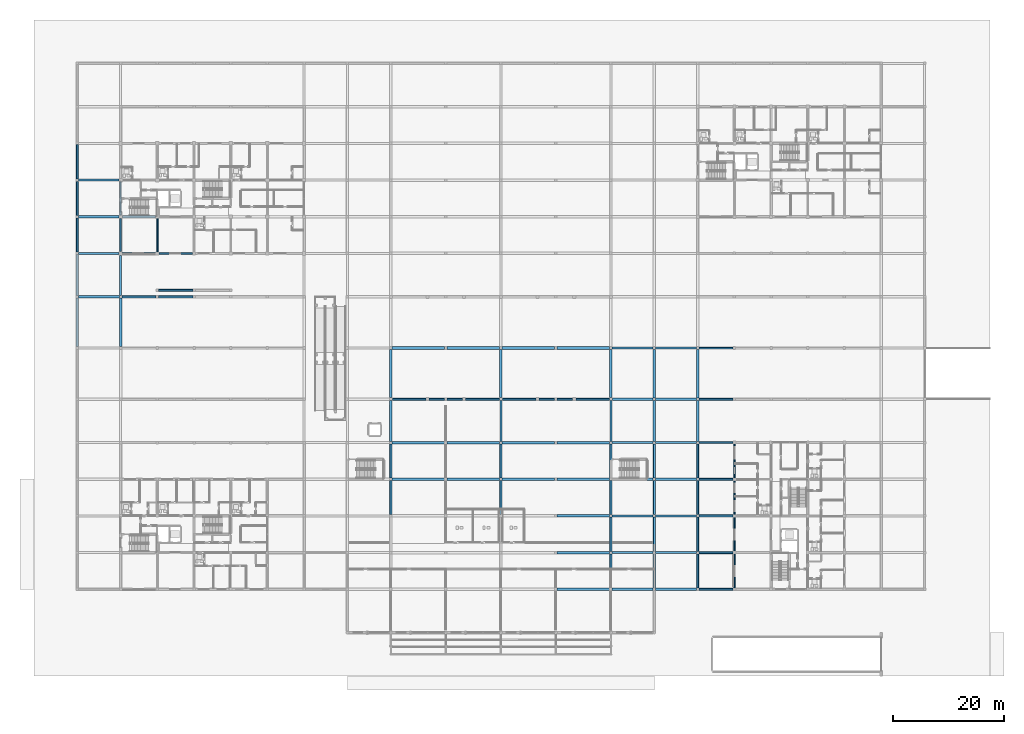
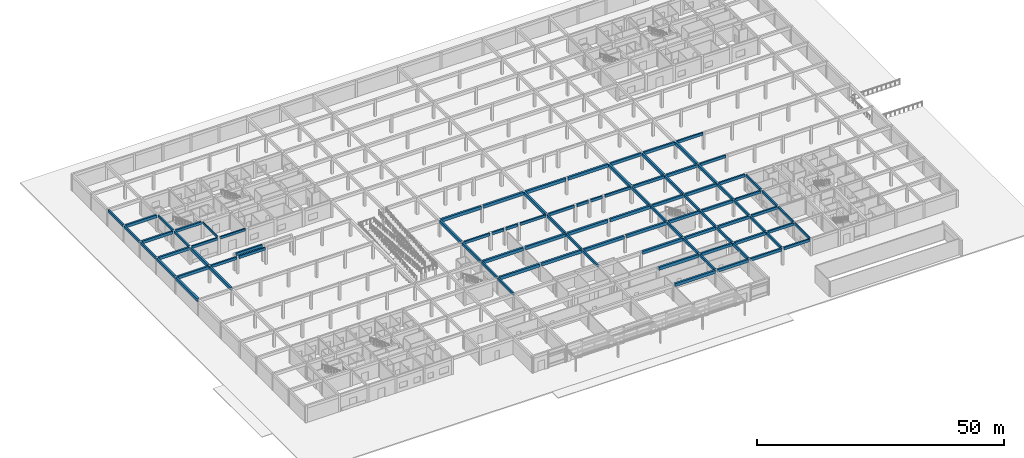
# One storey, part 25 of 75: 94 beams.
"""IFC4 building model written with IfcOpenShell, lengths in metres."""

from ifc_helpers import new_model, si_unit, direction, frame, origin, origin_2d, place, context, subcontext, project, spatial, rectangle, extrude, material, material_profile, profile_set, type_object, element, save


model = new_model("IFC4")

# Units and contexts
model_context = context("Model", 3, precision=1e-05, world=origin(), true_north=direction((0.0, 1.0)))
body_context = subcontext(model_context, "Body", "Model", "MODEL_VIEW")
ifc_project = project(units=[si_unit("LENGTHUNIT", "METRE"), si_unit("AREAUNIT", "SQUARE_METRE"), si_unit("VOLUMEUNIT", "CUBIC_METRE"), si_unit("PLANEANGLEUNIT", "RADIAN"), si_unit("MASSUNIT", "GRAM", prefix="KILO")], contexts=[model_context])

# Site, building, storey
site_placement = place(None, origin())
site = spatial("IfcSite", under=ifc_project, at=site_placement, CompositionType="ELEMENT")
building_placement = place(site_placement, origin())
building = spatial("IfcBuilding", under=site, at=building_placement, Name="Kernevlak Ridge Housing Community", CompositionType="ELEMENT")
storey_placement = place(building_placement, origin())
storey = spatial("IfcBuildingStorey", under=building, at=storey_placement, Name="L00", CompositionType="ELEMENT", Elevation=0.0)

# Beams
ifc_material = material(Name="Concrete C35/45", Category="concrete")
ifc_material_profile_1 = material_profile(ifc_material, rectangle(XDim=0.39990234375, YDim=0.699951171875, at=origin_2d()), Name="RC 400x700")
ifc_profile_set_1 = profile_set([ifc_material_profile_1], Name="Concrete C35/45")
beam_type_1 = type_object("IfcBeamType", Name="B-01", PredefinedType="BEAM", material=ifc_profile_set_1)
for number, where, z_axis, x_axis, name in (
    (1, (104.02490234375, 15.60009765625, 3.85009765625), (1.0, 0.0, 0.0), (0.0, 1.0, 0.0), "Beam B-01 L00 2061"),
    (2, (111.824951171875, 15.60009765625, 3.85009765625), (1.0, 0.0, 0.0), (0.0, 1.0, 0.0), "Beam B-01 L00 2062"),
    (3, (104.02490234375, 22.199951171875, 3.85009765625), (1.0, 0.0, 0.0), (0.0, 1.0, 0.0), "Beam B-01 L00 2074"),
    (4, (111.824951171875, 22.199951171875, 3.85009765625), (1.0, 0.0, 0.0), (0.0, 1.0, 0.0), "Beam B-01 L00 2075"),
    (5, (104.02490234375, 28.800048828125, 3.85009765625), (1.0, 0.0, 0.0), (0.0, 1.0, 0.0), "Beam B-01 L00 2087"),
    (6, (111.824951171875, 28.800048828125, 3.85009765625), (1.0, 0.0, 0.0), (0.0, 1.0, 0.0), "Beam B-01 L00 2088"),
    (7, (104.02490234375, 35.39990234375, 3.85009765625), (1.0, 0.0, 0.0), (0.0, 1.0, 0.0), "Beam B-01 L00 2100"),
    (8, (111.824951171875, 35.39990234375, 3.85009765625), (1.0, 0.0, 0.0), (0.0, 1.0, 0.0), "Beam B-01 L00 2101"),
    (9, (104.02490234375, 42.0, 3.85009765625), (1.0, 0.0, 0.0), (0.0, 1.0, 0.0), "Beam B-01 L00 2117"),
    (10, (111.824951171875, 42.0, 3.85009765625), (1.0, 0.0, 0.0), (0.0, 1.0, 0.0), "Beam B-01 L00 2118"),
):
    element("IfcBeam", number, at=place(storey_placement, frame(where, z_axis=z_axis, x_axis=x_axis)), inside=storey, type_object=beam_type_1, Name=name, PredefinedType="BEAM", context=body_context, shape_type="SweptSolid", body=[
        extrude(rectangle(XDim=0.39990234375, YDim=0.699951171875, at=origin_2d()), origin(), (0.0, 0.0, 1.0), 7.35009765625),
    ])
beam_1_placement = place(storey_placement, frame((104.074951171875, 49.800048828125, 3.85009765625), z_axis=(1.0, 0.0, 0.0), x_axis=(0.0, 1.0, 0.0)))
element("IfcBeam", 11, at=beam_1_placement, inside=storey, type_object=beam_type_1, Name="Beam B-01 L00 2137", PredefinedType="BEAM", context=body_context, shape_type="SweptSolid", body=[
    extrude(rectangle(XDim=0.39990234375, YDim=0.699951171875, at=origin_2d()), origin(), (0.0, 0.0, 1.0), 7.300048828125),
])
for number, where, z_axis, x_axis, name in (
    (12, (111.824951171875, 49.800048828125, 3.85009765625), (1.0, 0.0, 0.0), (0.0, 1.0, 0.0), "Beam B-01 L00 2138"),
    (13, (104.02490234375, 59.0, 3.85009765625), (1.0, 0.0, 0.0), (0.0, 1.0, 0.0), "Beam B-01 L00 2156"),
    (14, (111.824951171875, 59.0, 3.85009765625), (1.0, 0.0, 0.0), (0.0, 1.0, 0.0), "Beam B-01 L00 2157"),
    (15, (8.02490234375, 68.199951171875, 3.85009765625), (1.0, 0.0, 0.0), (0.0, 1.0, 0.0), "Beam B-01 L00 2164"),
):
    element("IfcBeam", number, at=place(storey_placement, frame(where, z_axis=z_axis, x_axis=x_axis)), inside=storey, type_object=beam_type_1, Name=name, PredefinedType="BEAM", context=body_context, shape_type="SweptSolid", body=[
        extrude(rectangle(XDim=0.39990234375, YDim=0.699951171875, at=origin_2d()), origin(), (0.0, 0.0, 1.0), 7.35009765625),
    ])
beam_2_placement = place(storey_placement, frame((8.02490234375, 76.0, 3.85009765625), z_axis=(1.0, 0.0, 0.0), x_axis=(0.0, 1.0, 0.0)))
element("IfcBeam", 16, at=beam_2_placement, inside=storey, type_object=beam_type_1, Name="Beam B-01 L00 2189", PredefinedType="BEAM", context=body_context, shape_type="SweptSolid", body=[
    extrude(rectangle(XDim=0.39990234375, YDim=0.699951171875, at=origin_2d()), origin(), (0.0, 0.0, 1.0), 7.3251953125),
])
for number, where, z_axis, x_axis, name in (
    (17, (8.02490234375, 82.60009765625, 3.85009765625), (1.0, 0.0, 0.0), (0.0, 1.0, 0.0), "Beam B-01 L00 2204"),
    (18, (8.02490234375, 89.199951171875, 3.85009765625), (1.0, 0.0, 0.0), (0.0, 1.0, 0.0), "Beam B-01 L00 2214"),
):
    element("IfcBeam", number, at=place(storey_placement, frame(where, z_axis=z_axis, x_axis=x_axis)), inside=storey, type_object=beam_type_1, Name=name, PredefinedType="BEAM", context=body_context, shape_type="SweptSolid", body=[
        extrude(rectangle(XDim=0.39990234375, YDim=0.699951171875, at=origin_2d()), origin(), (0.0, 0.0, 1.0), 7.275146484375),
    ])
beam_3_placement = place(storey_placement, frame((7.800048828125, 68.425048828125, 3.85009765625), z_axis=(0.0, 1.0, 0.0), x_axis=(-1.0, 0.0, 0.0)))
element("IfcBeam", 19, at=beam_3_placement, inside=storey, type_object=beam_type_1, Name="Beam B-01 L00 2276", PredefinedType="BEAM", context=body_context, shape_type="SweptSolid", body=[
    extrude(rectangle(XDim=0.39990234375, YDim=0.699951171875, at=origin_2d()), origin(), (0.0, 0.0, 1.0), 7.349853515625),
])
beam_4_placement = place(storey_placement, frame((15.60009765625, 68.425048828125, 3.85009765625), z_axis=(0.0, 1.0, 0.0), x_axis=(-1.0, 0.0, 0.0)))
element("IfcBeam", 20, at=beam_4_placement, inside=storey, type_object=beam_type_1, Name="Beam B-01 L00 2286", PredefinedType="BEAM", context=body_context, shape_type="SweptSolid", body=[
    extrude(rectangle(XDim=0.39990234375, YDim=0.699951171875, at=origin_2d()), origin(), (0.0, 0.0, 1.0), 7.199951171875),
])
for number, where, z_axis, x_axis, name in (
    (21, (64.199951171875, 42.22509765625, 3.85009765625), (0.0, 1.0, 0.0), (-1.0, 0.0, 0.0), "Beam B-01 L00 2318"),
    (22, (84.0, 42.22509765625, 3.85009765625), (0.0, 1.0, 0.0), (-1.0, 0.0, 0.0), "Beam B-01 L00 2332"),
    (23, (103.800048828125, 42.22509765625, 3.85009765625), (0.0, 1.0, 0.0), (-1.0, 0.0, 0.0), "Beam B-01 L00 2346"),
):
    element("IfcBeam", number, at=place(storey_placement, frame(where, z_axis=z_axis, x_axis=x_axis)), inside=storey, type_object=beam_type_1, Name=name, PredefinedType="BEAM", context=body_context, shape_type="SweptSolid", body=[
        extrude(rectangle(XDim=0.39990234375, YDim=0.699951171875, at=origin_2d()), origin(), (0.0, 0.0, 1.0), 7.2998046875),
    ])
for number, where, z_axis, x_axis, name in (
    (24, (111.60009765625, 42.22509765625, 3.85009765625), (0.0, 1.0, 0.0), (-1.0, 0.0, 0.0), "Beam B-01 L00 2360"),
    (25, (119.39990234375, 42.22509765625, 3.85009765625), (0.0, 1.0, 0.0), (-1.0, 0.0, 0.0), "Beam B-01 L00 2373"),
):
    element("IfcBeam", number, at=place(storey_placement, frame(where, z_axis=z_axis, x_axis=x_axis)), inside=storey, type_object=beam_type_1, Name=name, PredefinedType="BEAM", context=body_context, shape_type="SweptSolid", body=[
        extrude(rectangle(XDim=0.39990234375, YDim=0.699951171875, at=origin_2d()), origin(), (0.0, 0.0, 1.0), 7.349853515625),
    ])
ifc_material_profile_2 = material_profile(ifc_material, rectangle(XDim=0.35009765625, YDim=0.64990234375, at=origin_2d()), Name="RC 350x650")
ifc_profile_set_2 = profile_set([ifc_material_profile_2], Name="Concrete C35/45")
beam_type_2 = type_object("IfcBeamType", Name="B-02", PredefinedType="BEAM", material=ifc_profile_set_2)
for number, where, z_axis, x_axis, name in (
    (26, (119.625, 15.60009765625, 3.875), (1.0, 0.0, 0.0), (0.0, 1.0, 0.0), "Beam B-02 L00 2063"),
    (27, (119.625, 22.199951171875, 3.875), (1.0, 0.0, 0.0), (0.0, 1.0, 0.0), "Beam B-02 L00 2076"),
    (28, (119.625, 28.800048828125, 3.875), (1.0, 0.0, 0.0), (0.0, 1.0, 0.0), "Beam B-02 L00 2089"),
    (29, (119.625, 35.39990234375, 3.875), (1.0, 0.0, 0.0), (0.0, 1.0, 0.0), "Beam B-02 L00 2102"),
    (30, (119.625, 42.0, 3.875), (1.0, 0.0, 0.0), (0.0, 1.0, 0.0), "Beam B-02 L00 2119"),
):
    element("IfcBeam", number, at=place(storey_placement, frame(where, z_axis=z_axis, x_axis=x_axis)), inside=storey, type_object=beam_type_2, Name=name, PredefinedType="BEAM", context=body_context, shape_type="SweptSolid", body=[
        extrude(rectangle(XDim=0.35009765625, YDim=0.64990234375, at=origin_2d()), origin(), (0.0, 0.0, 1.0), 6.125),
    ])
beam_5_placement = place(storey_placement, frame((64.47509765625, 49.800048828125, 3.875), z_axis=(1.0, 0.0, 0.0), x_axis=(0.0, 1.0, 0.0)))
element("IfcBeam", 31, at=beam_5_placement, inside=storey, type_object=beam_type_2, Name="Beam B-02 L00 2129", PredefinedType="BEAM", context=body_context, shape_type="SweptSolid", body=[
    extrude(rectangle(XDim=0.35009765625, YDim=0.64990234375, at=origin_2d()), origin(), (0.0, 0.0, 1.0), 6.0498046875),
])
for number, where, z_axis, x_axis, name in (
    (32, (71.074951171875, 49.800048828125, 3.875), (1.0, 0.0, 0.0), (0.0, 1.0, 0.0), "Beam B-02 L00 2130"),
    (33, (74.324951171875, 49.800048828125, 3.875), (1.0, 0.0, 0.0), (0.0, 1.0, 0.0), "Beam B-02 L00 2131"),
):
    element("IfcBeam", number, at=place(storey_placement, frame(where, z_axis=z_axis, x_axis=x_axis)), inside=storey, type_object=beam_type_2, Name=name, PredefinedType="BEAM", context=body_context, shape_type="SweptSolid", body=[
        extrude(rectangle(XDim=0.35009765625, YDim=0.64990234375, at=origin_2d()), origin(), (0.0, 0.0, 1.0), 2.800048828125),
    ])
for number, where, z_axis, x_axis, name in (
    (34, (77.675048828125, 49.800048828125, 3.875), (1.0, 0.0, 0.0), (0.0, 1.0, 0.0), "Beam B-02 L00 2132"),
    (35, (84.27490234375, 49.800048828125, 3.875), (1.0, 0.0, 0.0), (0.0, 1.0, 0.0), "Beam B-02 L00 2133"),
):
    element("IfcBeam", number, at=place(storey_placement, frame(where, z_axis=z_axis, x_axis=x_axis)), inside=storey, type_object=beam_type_2, Name=name, PredefinedType="BEAM", context=body_context, shape_type="SweptSolid", body=[
        extrude(rectangle(XDim=0.35009765625, YDim=0.64990234375, at=origin_2d()), origin(), (0.0, 0.0, 1.0), 6.050048828125),
    ])
for number, where, z_axis, x_axis, name in (
    (36, (90.875, 49.800048828125, 3.875), (1.0, 0.0, 0.0), (0.0, 1.0, 0.0), "Beam B-02 L00 2134"),
    (37, (94.125, 49.800048828125, 3.875), (1.0, 0.0, 0.0), (0.0, 1.0, 0.0), "Beam B-02 L00 2135"),
):
    element("IfcBeam", number, at=place(storey_placement, frame(where, z_axis=z_axis, x_axis=x_axis)), inside=storey, type_object=beam_type_2, Name=name, PredefinedType="BEAM", context=body_context, shape_type="SweptSolid", body=[
        extrude(rectangle(XDim=0.35009765625, YDim=0.64990234375, at=origin_2d()), origin(), (0.0, 0.0, 1.0), 2.800048828125),
    ])
beam_6_placement = place(storey_placement, frame((97.47509765625, 49.800048828125, 3.875), z_axis=(1.0, 0.0, 0.0), x_axis=(0.0, 1.0, 0.0)))
element("IfcBeam", 38, at=beam_6_placement, inside=storey, type_object=beam_type_2, Name="Beam B-02 L00 2136", PredefinedType="BEAM", context=body_context, shape_type="SweptSolid", body=[
    extrude(rectangle(XDim=0.35009765625, YDim=0.64990234375, at=origin_2d()), origin(), (0.0, 0.0, 1.0), 6.0498046875),
])
for number, where, z_axis, x_axis, name in (
    (39, (119.625, 49.800048828125, 3.875), (1.0, 0.0, 0.0), (0.0, 1.0, 0.0), "Beam B-02 L00 2139"),
    (40, (119.625, 59.0, 3.875), (1.0, 0.0, 0.0), (0.0, 1.0, 0.0), "Beam B-02 L00 2158"),
):
    element("IfcBeam", number, at=place(storey_placement, frame(where, z_axis=z_axis, x_axis=x_axis)), inside=storey, type_object=beam_type_2, Name=name, PredefinedType="BEAM", context=body_context, shape_type="SweptSolid", body=[
        extrude(rectangle(XDim=0.35009765625, YDim=0.64990234375, at=origin_2d()), origin(), (0.0, 0.0, 1.0), 6.14990234375),
    ])
beam_7_placement = place(storey_placement, frame((15.824951171875, 68.199951171875, 3.875), z_axis=(1.0, 0.0, 0.0), x_axis=(0.0, 1.0, 0.0)))
element("IfcBeam", 41, at=beam_7_placement, inside=storey, type_object=beam_type_2, Name="Beam B-02 L00 2165", PredefinedType="BEAM", context=body_context, shape_type="SweptSolid", body=[
    extrude(rectangle(XDim=0.35009765625, YDim=0.64990234375, at=origin_2d()), origin(), (0.0, 0.0, 1.0), 6.150146484375),
])
for number, where, z_axis, x_axis, name in (
    (42, (22.425048828125, 68.199951171875, 3.875), (1.0, 0.0, 0.0), (0.0, 1.0, 0.0), "Beam B-02 L00 2166"),
    (43, (22.425048828125, 69.39990234375, 3.875), (1.0, 0.0, 0.0), (0.0, 1.0, 0.0), "Beam B-02 L00 2187"),
    (44, (7.800048828125, 76.22509765625, 3.875), (0.0, 1.0, 0.0), (-1.0, 0.0, 0.0), "Beam B-02 L00 2277"),
):
    element("IfcBeam", number, at=place(storey_placement, frame(where, z_axis=z_axis, x_axis=x_axis)), inside=storey, type_object=beam_type_2, Name=name, PredefinedType="BEAM", context=body_context, shape_type="SweptSolid", body=[
        extrude(rectangle(XDim=0.35009765625, YDim=0.64990234375, at=origin_2d()), origin(), (0.0, 0.0, 1.0), 6.14990234375),
    ])
beam_8_placement = place(storey_placement, frame((7.800048828125, 82.824951171875, 3.875), z_axis=(0.0, 1.0, 0.0), x_axis=(-1.0, 0.0, 0.0)))
element("IfcBeam", 45, at=beam_8_placement, inside=storey, type_object=beam_type_2, Name="Beam B-02 L00 2278", PredefinedType="BEAM", context=body_context, shape_type="SweptSolid", body=[
    extrude(rectangle(XDim=0.35009765625, YDim=0.64990234375, at=origin_2d()), origin(), (0.0, 0.0, 1.0), 6.150146484375),
])
beam_9_placement = place(storey_placement, frame((7.800048828125, 89.425048828125, 3.875), z_axis=(0.0, 1.0, 0.0), x_axis=(-1.0, 0.0, 0.0)))
element("IfcBeam", 46, at=beam_9_placement, inside=storey, type_object=beam_type_2, Name="Beam B-02 L00 2279", PredefinedType="BEAM", context=body_context, shape_type="SweptSolid", body=[
    extrude(rectangle(XDim=0.35009765625, YDim=0.64990234375, at=origin_2d()), origin(), (0.0, 0.0, 1.0), 6.14990234375),
])
beam_10_placement = place(storey_placement, frame((64.199951171875, 29.02490234375, 3.875), z_axis=(0.0, 1.0, 0.0), x_axis=(-1.0, 0.0, 0.0)))
element("IfcBeam", 47, at=beam_10_placement, inside=storey, type_object=beam_type_2, Name="Beam B-02 L00 2316", PredefinedType="BEAM", context=body_context, shape_type="SweptSolid", body=[
    extrude(rectangle(XDim=0.35009765625, YDim=0.64990234375, at=origin_2d()), origin(), (0.0, 0.0, 1.0), 6.150146484375),
])
beam_11_placement = place(storey_placement, frame((64.199951171875, 35.625, 3.875), z_axis=(0.0, 1.0, 0.0), x_axis=(-1.0, 0.0, 0.0)))
element("IfcBeam", 48, at=beam_11_placement, inside=storey, type_object=beam_type_2, Name="Beam B-02 L00 2317", PredefinedType="BEAM", context=body_context, shape_type="SweptSolid", body=[
    extrude(rectangle(XDim=0.35009765625, YDim=0.64990234375, at=origin_2d()), origin(), (0.0, 0.0, 1.0), 6.14990234375),
])
beam_12_placement = place(storey_placement, frame((84.0, 29.02490234375, 3.875), z_axis=(0.0, 1.0, 0.0), x_axis=(-1.0, 0.0, 0.0)))
element("IfcBeam", 49, at=beam_12_placement, inside=storey, type_object=beam_type_2, Name="Beam B-02 L00 2330", PredefinedType="BEAM", context=body_context, shape_type="SweptSolid", body=[
    extrude(rectangle(XDim=0.35009765625, YDim=0.64990234375, at=origin_2d()), origin(), (0.0, 0.0, 1.0), 6.150146484375),
])
beam_13_placement = place(storey_placement, frame((84.0, 35.625, 3.875), z_axis=(0.0, 1.0, 0.0), x_axis=(-1.0, 0.0, 0.0)))
element("IfcBeam", 50, at=beam_13_placement, inside=storey, type_object=beam_type_2, Name="Beam B-02 L00 2331", PredefinedType="BEAM", context=body_context, shape_type="SweptSolid", body=[
    extrude(rectangle(XDim=0.35009765625, YDim=0.64990234375, at=origin_2d()), origin(), (0.0, 0.0, 1.0), 6.14990234375),
])
beam_14_placement = place(storey_placement, frame((103.800048828125, 15.824951171875, 3.875), z_axis=(0.0, 1.0, 0.0), x_axis=(-1.0, 0.0, 0.0)))
element("IfcBeam", 51, at=beam_14_placement, inside=storey, type_object=beam_type_2, Name="Beam B-02 L00 2342", PredefinedType="BEAM", context=body_context, shape_type="SweptSolid", body=[
    extrude(rectangle(XDim=0.35009765625, YDim=0.64990234375, at=origin_2d()), origin(), (0.0, 0.0, 1.0), 6.150146484375),
])
beam_15_placement = place(storey_placement, frame((103.800048828125, 22.425048828125, 3.875), z_axis=(0.0, 1.0, 0.0), x_axis=(-1.0, 0.0, 0.0)))
element("IfcBeam", 52, at=beam_15_placement, inside=storey, type_object=beam_type_2, Name="Beam B-02 L00 2343", PredefinedType="BEAM", context=body_context, shape_type="SweptSolid", body=[
    extrude(rectangle(XDim=0.35009765625, YDim=0.64990234375, at=origin_2d()), origin(), (0.0, 0.0, 1.0), 6.14990234375),
])
beam_16_placement = place(storey_placement, frame((103.800048828125, 29.02490234375, 3.875), z_axis=(0.0, 1.0, 0.0), x_axis=(-1.0, 0.0, 0.0)))
element("IfcBeam", 53, at=beam_16_placement, inside=storey, type_object=beam_type_2, Name="Beam B-02 L00 2344", PredefinedType="BEAM", context=body_context, shape_type="SweptSolid", body=[
    extrude(rectangle(XDim=0.35009765625, YDim=0.64990234375, at=origin_2d()), origin(), (0.0, 0.0, 1.0), 6.150146484375),
])
beam_17_placement = place(storey_placement, frame((103.800048828125, 35.625, 3.875), z_axis=(0.0, 1.0, 0.0), x_axis=(-1.0, 0.0, 0.0)))
element("IfcBeam", 54, at=beam_17_placement, inside=storey, type_object=beam_type_2, Name="Beam B-02 L00 2345", PredefinedType="BEAM", context=body_context, shape_type="SweptSolid", body=[
    extrude(rectangle(XDim=0.35009765625, YDim=0.64990234375, at=origin_2d()), origin(), (0.0, 0.0, 1.0), 6.14990234375),
])
beam_18_placement = place(storey_placement, frame((111.60009765625, 15.824951171875, 3.875), z_axis=(0.0, 1.0, 0.0), x_axis=(-1.0, 0.0, 0.0)))
element("IfcBeam", 55, at=beam_18_placement, inside=storey, type_object=beam_type_2, Name="Beam B-02 L00 2356", PredefinedType="BEAM", context=body_context, shape_type="SweptSolid", body=[
    extrude(rectangle(XDim=0.35009765625, YDim=0.64990234375, at=origin_2d()), origin(), (0.0, 0.0, 1.0), 6.150146484375),
])
beam_19_placement = place(storey_placement, frame((111.60009765625, 22.425048828125, 3.875), z_axis=(0.0, 1.0, 0.0), x_axis=(-1.0, 0.0, 0.0)))
element("IfcBeam", 56, at=beam_19_placement, inside=storey, type_object=beam_type_2, Name="Beam B-02 L00 2357", PredefinedType="BEAM", context=body_context, shape_type="SweptSolid", body=[
    extrude(rectangle(XDim=0.35009765625, YDim=0.64990234375, at=origin_2d()), origin(), (0.0, 0.0, 1.0), 6.14990234375),
])
beam_20_placement = place(storey_placement, frame((111.60009765625, 29.02490234375, 3.875), z_axis=(0.0, 1.0, 0.0), x_axis=(-1.0, 0.0, 0.0)))
element("IfcBeam", 57, at=beam_20_placement, inside=storey, type_object=beam_type_2, Name="Beam B-02 L00 2358", PredefinedType="BEAM", context=body_context, shape_type="SweptSolid", body=[
    extrude(rectangle(XDim=0.35009765625, YDim=0.64990234375, at=origin_2d()), origin(), (0.0, 0.0, 1.0), 6.150146484375),
])
beam_21_placement = place(storey_placement, frame((111.60009765625, 35.625, 3.875), z_axis=(0.0, 1.0, 0.0), x_axis=(-1.0, 0.0, 0.0)))
element("IfcBeam", 58, at=beam_21_placement, inside=storey, type_object=beam_type_2, Name="Beam B-02 L00 2359", PredefinedType="BEAM", context=body_context, shape_type="SweptSolid", body=[
    extrude(rectangle(XDim=0.35009765625, YDim=0.64990234375, at=origin_2d()), origin(), (0.0, 0.0, 1.0), 6.14990234375),
])
beam_22_placement = place(storey_placement, frame((119.39990234375, 15.824951171875, 3.875), z_axis=(0.0, 1.0, 0.0), x_axis=(-1.0, 0.0, 0.0)))
element("IfcBeam", 59, at=beam_22_placement, inside=storey, type_object=beam_type_2, Name="Beam B-02 L00 2369", PredefinedType="BEAM", context=body_context, shape_type="SweptSolid", body=[
    extrude(rectangle(XDim=0.35009765625, YDim=0.64990234375, at=origin_2d()), origin(), (0.0, 0.0, 1.0), 6.150146484375),
])
beam_23_placement = place(storey_placement, frame((119.39990234375, 22.425048828125, 3.875), z_axis=(0.0, 1.0, 0.0), x_axis=(-1.0, 0.0, 0.0)))
element("IfcBeam", 60, at=beam_23_placement, inside=storey, type_object=beam_type_2, Name="Beam B-02 L00 2370", PredefinedType="BEAM", context=body_context, shape_type="SweptSolid", body=[
    extrude(rectangle(XDim=0.35009765625, YDim=0.64990234375, at=origin_2d()), origin(), (0.0, 0.0, 1.0), 6.14990234375),
])
beam_24_placement = place(storey_placement, frame((119.39990234375, 29.02490234375, 3.875), z_axis=(0.0, 1.0, 0.0), x_axis=(-1.0, 0.0, 0.0)))
element("IfcBeam", 61, at=beam_24_placement, inside=storey, type_object=beam_type_2, Name="Beam B-02 L00 2371", PredefinedType="BEAM", context=body_context, shape_type="SweptSolid", body=[
    extrude(rectangle(XDim=0.35009765625, YDim=0.64990234375, at=origin_2d()), origin(), (0.0, 0.0, 1.0), 6.150146484375),
])
beam_25_placement = place(storey_placement, frame((119.39990234375, 35.625, 3.875), z_axis=(0.0, 1.0, 0.0), x_axis=(-1.0, 0.0, 0.0)))
element("IfcBeam", 62, at=beam_25_placement, inside=storey, type_object=beam_type_2, Name="Beam B-02 L00 2372", PredefinedType="BEAM", context=body_context, shape_type="SweptSolid", body=[
    extrude(rectangle(XDim=0.35009765625, YDim=0.64990234375, at=origin_2d()), origin(), (0.0, 0.0, 1.0), 6.14990234375),
])
ifc_material_profile_3 = material_profile(ifc_material, rectangle(XDim=0.39990234375, YDim=0.64990234375, at=origin_2d()), Name="RC 400x650")
ifc_profile_set_3 = profile_set([ifc_material_profile_3], Name="Concrete C35/45")
beam_type_3 = type_object("IfcBeamType", Name="B-03", PredefinedType="T_BEAM", material=ifc_profile_set_3)
beam_26_placement = place(storey_placement, frame((15.89990234375, 82.60009765625, 3.875), z_axis=(1.0, 0.0, 0.0), x_axis=(0.0, 1.0, 0.0)))
element("IfcBeam", 63, at=beam_26_placement, inside=storey, type_object=beam_type_3, Name="Beam B-03 L00 42", PredefinedType="T_BEAM", context=body_context, shape_type="SweptSolid", body=[
    extrude(rectangle(XDim=0.39990234375, YDim=0.64990234375, at=origin_2d()), origin(), (0.0, 0.0, 1.0), 6.0),
])
ifc_material_profile_4 = material_profile(ifc_material, rectangle(XDim=0.25, YDim=0.449951171875, at=origin_2d()), Name="RC 250x450")
ifc_profile_set_4 = profile_set([ifc_material_profile_4], Name="Concrete C35/45")
beam_type_4 = type_object("IfcBeamType", Name="B-04", PredefinedType="T_BEAM", material=ifc_profile_set_4)
beam_27_placement = place(storey_placement, frame((22.199951171875, 76.300048828125, 3.97509765625), z_axis=(0.0, 1.0, 0.0), x_axis=(-1.0, 0.0, 0.0)))
element("IfcBeam", 64, at=beam_27_placement, inside=storey, type_object=beam_type_4, Name="Beam B-04 L00 60", PredefinedType="T_BEAM", context=body_context, shape_type="SweptSolid", body=[
    extrude(rectangle(XDim=0.25, YDim=0.449951171875, at=origin_2d()), origin(), (0.0, 0.0, 1.0), 6.0),
])
ifc_material_profile_5 = material_profile(ifc_material, rectangle(XDim=0.449951171875, YDim=0.75, at=origin_2d()), Name="RC 450x750")
ifc_profile_set_5 = profile_set([ifc_material_profile_5], Name="Concrete C35/45")
beam_type_5 = type_object("IfcBeamType", Name="B-05", PredefinedType="BEAM", material=ifc_profile_set_5)
for number, where, z_axis, x_axis, name in (
    (65, (94.125, 15.60009765625, 3.824951171875), (1.0, 0.0, 0.0), (0.0, 1.0, 0.0), "Beam B-05 L00 2060"),
    (66, (94.125, 22.199951171875, 3.824951171875), (1.0, 0.0, 0.0), (0.0, 1.0, 0.0), "Beam B-05 L00 2073"),
    (67, (94.125, 28.800048828125, 3.824951171875), (1.0, 0.0, 0.0), (0.0, 1.0, 0.0), "Beam B-05 L00 2086"),
    (68, (64.425048828125, 35.39990234375, 3.824951171875), (1.0, 0.0, 0.0), (0.0, 1.0, 0.0), "Beam B-05 L00 2096"),
    (69, (74.324951171875, 35.39990234375, 3.824951171875), (1.0, 0.0, 0.0), (0.0, 1.0, 0.0), "Beam B-05 L00 2097"),
    (70, (84.22509765625, 35.39990234375, 3.824951171875), (1.0, 0.0, 0.0), (0.0, 1.0, 0.0), "Beam B-05 L00 2098"),
    (71, (94.125, 35.39990234375, 3.824951171875), (1.0, 0.0, 0.0), (0.0, 1.0, 0.0), "Beam B-05 L00 2099"),
    (72, (64.425048828125, 42.0, 3.824951171875), (1.0, 0.0, 0.0), (0.0, 1.0, 0.0), "Beam B-05 L00 2113"),
    (73, (74.324951171875, 42.0, 3.824951171875), (1.0, 0.0, 0.0), (0.0, 1.0, 0.0), "Beam B-05 L00 2114"),
    (74, (84.22509765625, 42.0, 3.824951171875), (1.0, 0.0, 0.0), (0.0, 1.0, 0.0), "Beam B-05 L00 2115"),
    (75, (94.125, 42.0, 3.824951171875), (1.0, 0.0, 0.0), (0.0, 1.0, 0.0), "Beam B-05 L00 2116"),
    (76, (64.425048828125, 59.0, 3.824951171875), (1.0, 0.0, 0.0), (0.0, 1.0, 0.0), "Beam B-05 L00 2152"),
    (77, (74.324951171875, 59.0, 3.824951171875), (1.0, 0.0, 0.0), (0.0, 1.0, 0.0), "Beam B-05 L00 2153"),
    (78, (84.22509765625, 59.0, 3.824951171875), (1.0, 0.0, 0.0), (0.0, 1.0, 0.0), "Beam B-05 L00 2154"),
    (79, (94.125, 59.0, 3.824951171875), (1.0, 0.0, 0.0), (0.0, 1.0, 0.0), "Beam B-05 L00 2155"),
):
    element("IfcBeam", number, at=place(storey_placement, frame(where, z_axis=z_axis, x_axis=x_axis)), inside=storey, type_object=beam_type_5, Name=name, PredefinedType="BEAM", context=body_context, shape_type="SweptSolid", body=[
        extrude(rectangle(XDim=0.449951171875, YDim=0.75, at=origin_2d()), origin(), (0.0, 0.0, 1.0), 9.449951171875),
    ])
for number, where, z_axis, x_axis, name in (
    (80, (7.800048828125, 59.22509765625, 3.824951171875), (0.0, 1.0, 0.0), (-1.0, 0.0, 0.0), "Beam B-05 L00 2275"),
    (81, (15.60009765625, 59.22509765625, 3.824951171875), (0.0, 1.0, 0.0), (-1.0, 0.0, 0.0), "Beam B-05 L00 2285"),
):
    element("IfcBeam", number, at=place(storey_placement, frame(where, z_axis=z_axis, x_axis=x_axis)), inside=storey, type_object=beam_type_5, Name=name, PredefinedType="BEAM", context=body_context, shape_type="SweptSolid", body=[
        extrude(rectangle(XDim=0.449951171875, YDim=0.75, at=origin_2d()), origin(), (0.0, 0.0, 1.0), 8.75),
    ])
for number, where, z_axis, x_axis, name in (
    (82, (64.199951171875, 50.074951171875, 3.824951171875), (0.0, 1.0, 0.0), (-1.0, 0.0, 0.0), "Beam B-05 L00 2319"),
    (83, (84.0, 50.074951171875, 3.824951171875), (0.0, 1.0, 0.0), (-1.0, 0.0, 0.0), "Beam B-05 L00 2333"),
    (84, (103.800048828125, 50.074951171875, 3.824951171875), (0.0, 1.0, 0.0), (-1.0, 0.0, 0.0), "Beam B-05 L00 2347"),
):
    element("IfcBeam", number, at=place(storey_placement, frame(where, z_axis=z_axis, x_axis=x_axis)), inside=storey, type_object=beam_type_5, Name=name, PredefinedType="BEAM", context=body_context, shape_type="SweptSolid", body=[
        extrude(rectangle(XDim=0.449951171875, YDim=0.75, at=origin_2d()), origin(), (0.0, 0.0, 1.0), 8.699951171875),
    ])
for number, where, z_axis, x_axis, name in (
    (85, (111.60009765625, 50.02490234375, 3.824951171875), (0.0, 1.0, 0.0), (-1.0, 0.0, 0.0), "Beam B-05 L00 2361"),
    (86, (119.39990234375, 50.02490234375, 3.824951171875), (0.0, 1.0, 0.0), (-1.0, 0.0, 0.0), "Beam B-05 L00 2374"),
):
    element("IfcBeam", number, at=place(storey_placement, frame(where, z_axis=z_axis, x_axis=x_axis)), inside=storey, type_object=beam_type_5, Name=name, PredefinedType="BEAM", context=body_context, shape_type="SweptSolid", body=[
        extrude(rectangle(XDim=0.449951171875, YDim=0.75, at=origin_2d()), origin(), (0.0, 0.0, 1.0), 8.75),
    ])
ifc_material_profile_6 = material_profile(ifc_material, rectangle(XDim=0.300048828125, YDim=0.550048828125, at=origin_2d()), Name="RC 300x550")
ifc_profile_set_6 = profile_set([ifc_material_profile_6], Name="Concrete C35/45")
beam_type_6 = type_object("IfcBeamType", Name="SP-01", PredefinedType="SPANDREL", material=ifc_profile_set_6)
beam_28_placement = place(storey_placement, frame((15.60009765625, 76.375, 3.925048828125), z_axis=(0.0, 1.0, 0.0), x_axis=(-1.0, 0.0, 0.0)))
element("IfcBeam", 87, at=beam_28_placement, inside=storey, type_object=beam_type_6, Name="Beam SP-01 L00 57", PredefinedType="SPANDREL", context=body_context, shape_type="SweptSolid", body=[
    extrude(rectangle(XDim=0.300048828125, YDim=0.550048828125, at=origin_2d()), origin(), (0.0, 0.0, 1.0), 5.925048828125),
])
beam_29_placement = place(storey_placement, frame((15.60009765625, 82.89990234375, 3.925048828125), z_axis=(0.0, 1.0, 0.0), x_axis=(-1.0, 0.0, 0.0)))
element("IfcBeam", 88, at=beam_29_placement, inside=storey, type_object=beam_type_6, Name="Beam SP-01 L00 58", PredefinedType="SPANDREL", context=body_context, shape_type="SweptSolid", body=[
    extrude(rectangle(XDim=0.300048828125, YDim=0.550048828125, at=origin_2d()), origin(), (0.0, 0.0, 1.0), 6.0),
])
ifc_material_profile_7 = material_profile(ifc_material, rectangle(XDim=0.300048828125, YDim=0.60009765625, at=origin_2d()), Name="RC 300x600")
ifc_profile_set_7 = profile_set([ifc_material_profile_7], Name="Concrete C35/45")
beam_type_7 = type_object("IfcBeamType", Name="SP-02", PredefinedType="SPANDREL", material=ifc_profile_set_7)
beam_30_placement = place(storey_placement, frame((15.85009765625, 76.0, 3.89990234375), z_axis=(1.0, 0.0, 0.0), x_axis=(0.0, 1.0, 0.0)))
element("IfcBeam", 89, at=beam_30_placement, inside=storey, type_object=beam_type_7, Name="Beam SP-02 L00 37", PredefinedType="SPANDREL", context=body_context, shape_type="SweptSolid", body=[
    extrude(rectangle(XDim=0.300048828125, YDim=0.60009765625, at=origin_2d()), origin(), (0.0, 0.0, 1.0), 6.0498046875),
])
beam_31_placement = place(storey_placement, frame((22.5, 76.0, 3.89990234375), z_axis=(1.0, 0.0, 0.0), x_axis=(0.0, 1.0, 0.0)))
element("IfcBeam", 90, at=beam_31_placement, inside=storey, type_object=beam_type_7, Name="Beam SP-02 L00 38", PredefinedType="SPANDREL", context=body_context, shape_type="SweptSolid", body=[
    extrude(rectangle(XDim=0.300048828125, YDim=0.60009765625, at=origin_2d()), origin(), (0.0, 0.0, 1.0), 6.0),
])
beam_32_placement = place(storey_placement, frame((126.0, 15.85009765625, 3.89990234375), z_axis=(0.0, 1.0, 0.0), x_axis=(-1.0, 0.0, 0.0)))
element("IfcBeam", 91, at=beam_32_placement, inside=storey, type_object=beam_type_7, Name="Beam SP-02 L00 988", PredefinedType="SPANDREL", context=body_context, shape_type="SweptSolid", body=[
    extrude(rectangle(XDim=0.300048828125, YDim=0.60009765625, at=origin_2d()), origin(), (0.0, 0.0, 1.0), 6.099853515625),
])
beam_33_placement = place(storey_placement, frame((126.0, 22.449951171875, 3.89990234375), z_axis=(0.0, 1.0, 0.0), x_axis=(-1.0, 0.0, 0.0)))
element("IfcBeam", 92, at=beam_33_placement, inside=storey, type_object=beam_type_7, Name="Beam SP-02 L00 989", PredefinedType="SPANDREL", context=body_context, shape_type="SweptSolid", body=[
    extrude(rectangle(XDim=0.300048828125, YDim=0.60009765625, at=origin_2d()), origin(), (0.0, 0.0, 1.0), 6.10009765625),
])
beam_34_placement = place(storey_placement, frame((126.0, 29.050048828125, 3.89990234375), z_axis=(0.0, 1.0, 0.0), x_axis=(-1.0, 0.0, 0.0)))
element("IfcBeam", 93, at=beam_34_placement, inside=storey, type_object=beam_type_7, Name="Beam SP-02 L00 990", PredefinedType="SPANDREL", context=body_context, shape_type="SweptSolid", body=[
    extrude(rectangle(XDim=0.300048828125, YDim=0.60009765625, at=origin_2d()), origin(), (0.0, 0.0, 1.0), 6.099853515625),
])
beam_35_placement = place(storey_placement, frame((126.0, 35.64990234375, 3.89990234375), z_axis=(0.0, 1.0, 0.0), x_axis=(-1.0, 0.0, 0.0)))
element("IfcBeam", 94, at=beam_35_placement, inside=storey, type_object=beam_type_7, Name="Beam SP-02 L00 991", PredefinedType="SPANDREL", context=body_context, shape_type="SweptSolid", body=[
    extrude(rectangle(XDim=0.300048828125, YDim=0.60009765625, at=origin_2d()), origin(), (0.0, 0.0, 1.0), 6.10009765625),
])

save(model, "model.ifc")
